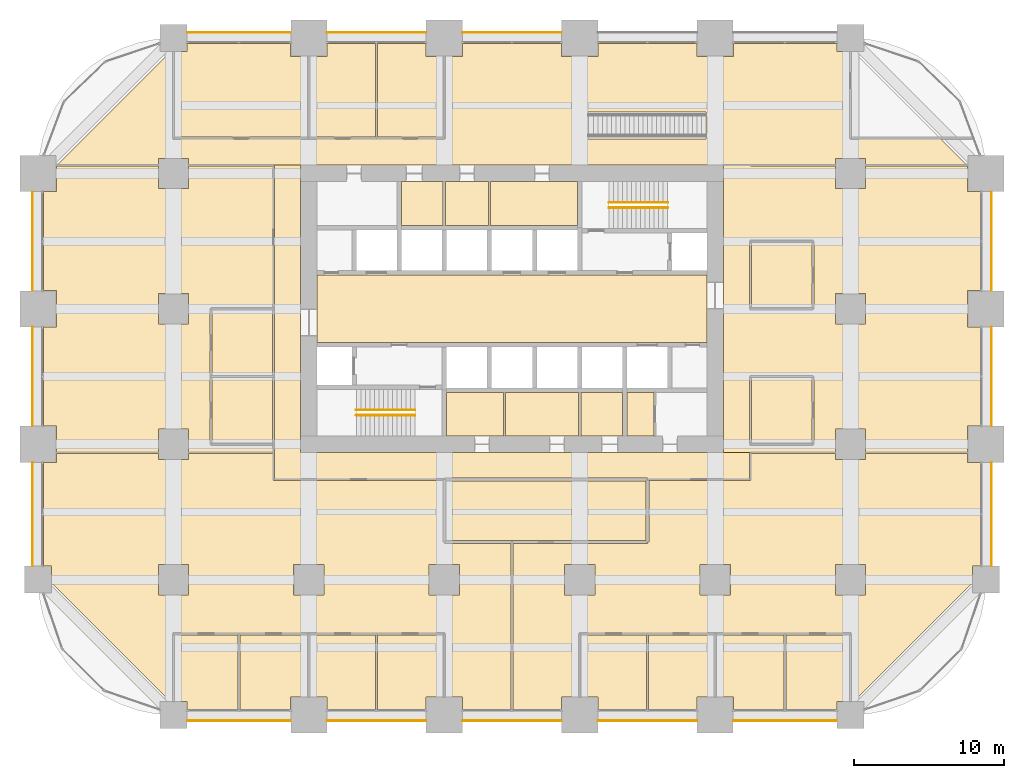
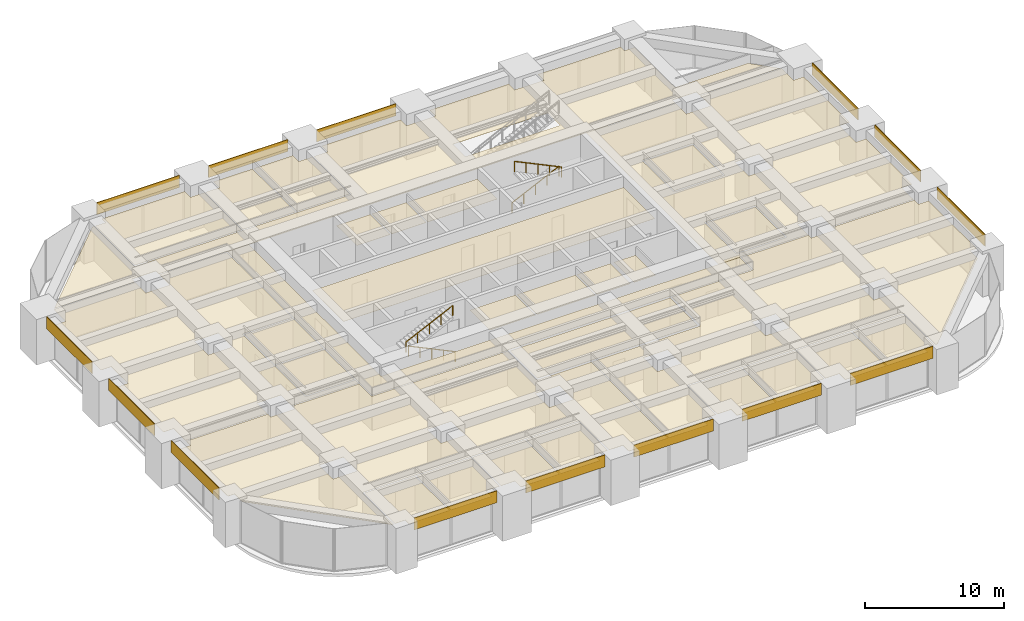
# One storey, part 40 of 41: 44 coverings, 4 railings.
"""IFC4 building model written with IfcOpenShell, lengths in metres."""

from ifc_helpers import new_model, si_unit, direction, frame, frame_2d, origin, origin_2d, place, context, subcontext, project, spatial, polyline, rectangle, circle, outline, extrude, material, layer, layer_set, type_object, element, save


model = new_model("IFC4")

# Units and contexts
model_context = context("Model", 3, precision=1e-05, world=origin(), true_north=direction((0.0, 1.0)))
body_context = subcontext(model_context, "Body", "Model", "MODEL_VIEW")
ifc_project = project(units=[si_unit("LENGTHUNIT", "METRE"), si_unit("AREAUNIT", "SQUARE_METRE"), si_unit("VOLUMEUNIT", "CUBIC_METRE"), si_unit("PLANEANGLEUNIT", "RADIAN"), si_unit("MASSUNIT", "GRAM", prefix="KILO")], contexts=[model_context])

# Site, building, storey
site_placement = place(None, origin())
site = spatial("IfcSite", under=ifc_project, at=site_placement, CompositionType="ELEMENT")
building_placement = place(site_placement, origin())
building = spatial("IfcBuilding", under=site, at=building_placement, Name="Zorevar Civic Tower", CompositionType="ELEMENT")
storey_placement = place(building_placement, frame((0.0, 0.0, 97.0)))
storey = spatial("IfcBuildingStorey", under=building, at=storey_placement, Name="L23", CompositionType="ELEMENT", Elevation=97.0)

# Railings
ifc_material_1 = material(Name="Black steel handrail", Category="steel")
railing_type = type_object("IfcRailingType", Name="Handrail HR1 900", PredefinedType="HANDRAIL", material=ifc_material_1)
railing_1_placement = place(storey_placement, frame((25.050048828125, 19.925048828125, 0.142822265625)))
element("IfcRailing", 1, at=railing_1_placement, inside=storey, type_object=railing_type, Name="Handrail HR1 ST1 L23", PredefinedType="HANDRAIL", context=body_context, shape_type="SweptSolid", body=[
    extrude(circle(Radius=0.02392578125, at=origin_2d()), frame((0.0, 0.0, 0.8759765625), z_axis=(-0.902863652845, 0.0, 0.429926998885), x_axis=(0.0, -1.0, 0.0)), (0.0, 0.0, 1.0), 4.31982421875),
    extrude(circle(Radius=0.02099609375, at=origin_2d()), origin(), (0.0, 0.0, 1.0), 0.851806640625),
    extrude(circle(Radius=0.02099609375, at=origin_2d()), frame((-0.97509765625, 0.0, 0.46435546875)), (0.0, 0.0, 1.0), 0.851806640625),
    extrude(circle(Radius=0.02099609375, at=origin_2d()), frame((-1.9501953125, 0.0, 0.9287109375)), (0.0, 0.0, 1.0), 0.851806640625),
    extrude(circle(Radius=0.02099609375, at=origin_2d()), frame((-2.925048828125, 0.0, 1.392822265625)), (0.0, 0.0, 1.0), 0.851806640625),
    extrude(circle(Radius=0.02099609375, at=origin_2d()), frame((-3.900146484375, 0.0, 1.857177734375)), (0.0, 0.0, 1.0), 0.851806640625),
])
for number, where, name in (
    (2, (21.14990234375, 20.27490234375, 2.142822265625), "Handrail HR1 ST1 L23"),
    (3, (37.949951171875, 34.074951171875, 0.142822265625), "Handrail HR1 ST2 L23"),
):
    element("IfcRailing", number, at=place(storey_placement, frame(where)), inside=storey, type_object=railing_type, Name=name, PredefinedType="HANDRAIL", context=body_context, shape_type="SweptSolid", body=[
        extrude(circle(Radius=0.02392578125, at=origin_2d()), frame((0.0, 0.0, 0.8759765625), z_axis=(0.902863652845, 0.0, 0.429926998885), x_axis=(0.0, 1.0, 0.0)), (0.0, 0.0, 1.0), 4.31982421875),
        extrude(circle(Radius=0.02099609375, at=origin_2d()), origin(), (0.0, 0.0, 1.0), 0.851806640625),
        extrude(circle(Radius=0.02099609375, at=origin_2d()), frame((0.97509765625, 0.0, 0.46435546875)), (0.0, 0.0, 1.0), 0.851806640625),
        extrude(circle(Radius=0.02099609375, at=origin_2d()), frame((1.9501953125, 0.0, 0.9287109375)), (0.0, 0.0, 1.0), 0.851806640625),
        extrude(circle(Radius=0.02099609375, at=origin_2d()), frame((2.925048828125, 0.0, 1.392822265625)), (0.0, 0.0, 1.0), 0.851806640625),
        extrude(circle(Radius=0.02099609375, at=origin_2d()), frame((3.900146484375, 0.0, 1.857177734375)), (0.0, 0.0, 1.0), 0.851806640625),
    ])
railing_2_placement = place(storey_placement, frame((41.85009765625, 33.72509765625, 2.142822265625)))
element("IfcRailing", 4, at=railing_2_placement, inside=storey, type_object=railing_type, Name="Handrail HR1 ST2 L23", PredefinedType="HANDRAIL", context=body_context, shape_type="SweptSolid", body=[
    extrude(circle(Radius=0.02392578125, at=origin_2d()), frame((0.0, 0.0, 0.8759765625), z_axis=(-0.902863652845, 0.0, 0.429926998885), x_axis=(0.0, -1.0, 0.0)), (0.0, 0.0, 1.0), 4.31982421875),
    extrude(circle(Radius=0.02099609375, at=origin_2d()), origin(), (0.0, 0.0, 1.0), 0.851806640625),
    extrude(circle(Radius=0.02099609375, at=origin_2d()), frame((-0.97509765625, 0.0, 0.46435546875)), (0.0, 0.0, 1.0), 0.851806640625),
    extrude(circle(Radius=0.02099609375, at=origin_2d()), frame((-1.9501953125, 0.0, 0.9287109375)), (0.0, 0.0, 1.0), 0.851806640625),
    extrude(circle(Radius=0.02099609375, at=origin_2d()), frame((-2.925048828125, 0.0, 1.392822265625)), (0.0, 0.0, 1.0), 0.851806640625),
    extrude(circle(Radius=0.02099609375, at=origin_2d()), frame((-3.900146484375, 0.0, 1.857177734375)), (0.0, 0.0, 1.0), 0.851806640625),
])

# Coverings
ifc_material_2 = material(Name="Moisture-resistant gypsum board")
ifc_layer_1 = layer(ifc_material_2, 0.012451171875)
ifc_layer_set_1 = layer_set([ifc_layer_1], Name="Moisture-resistant ceiling SC3")
covering_type_1 = type_object("IfcCoveringType", Name="Moisture-resistant ceiling SC3", PredefinedType="CEILING", material=ifc_layer_set_1)
covering_1_placement = place(storey_placement, frame((0.0, 0.0, 3.0)))
element("IfcCovering", 5, at=covering_1_placement, inside=storey, type_object=covering_type_1, Name="Ceiling L23-05", PredefinedType="CEILING", context=body_context, shape_type="SweptSolid", body=[
    extrude(outline(polyline([(30.925048828125, 18.550048828125), (30.925048828125, 21.449951171875), (27.14990234375, 21.449951171875), (27.14990234375, 18.550048828125), (30.925048828125, 18.550048828125)])), origin(), (0.0, 0.0, 1.0), 0.012451171875),
])
covering_2_placement = place(storey_placement, frame((0.0, 0.0, 3.0)))
element("IfcCovering", 6, at=covering_2_placement, inside=storey, type_object=covering_type_1, Name="Ceiling L23-06", PredefinedType="CEILING", context=body_context, shape_type="SweptSolid", body=[
    extrude(outline(polyline([(35.925048828125, 18.550048828125), (35.925048828125, 21.449951171875), (31.074951171875, 21.449951171875), (31.074951171875, 18.550048828125), (35.925048828125, 18.550048828125)])), origin(), (0.0, 0.0, 1.0), 0.012451171875),
])
covering_3_placement = place(storey_placement, frame((0.0, 0.0, 3.0)))
element("IfcCovering", 7, at=covering_3_placement, inside=storey, type_object=covering_type_1, Name="Ceiling L23-07", PredefinedType="CEILING", context=body_context, shape_type="SweptSolid", body=[
    extrude(outline(polyline([(38.85009765625, 18.550048828125), (38.85009765625, 21.449951171875), (36.074951171875, 21.449951171875), (36.074951171875, 18.550048828125), (38.85009765625, 18.550048828125)])), origin(), (0.0, 0.0, 1.0), 0.012451171875),
])
covering_4_placement = place(storey_placement, frame((0.0, 0.0, 3.0)))
element("IfcCovering", 8, at=covering_4_placement, inside=storey, type_object=covering_type_1, Name="Ceiling L23-10", PredefinedType="CEILING", context=body_context, shape_type="SweptSolid", body=[
    extrude(outline(polyline([(26.925048828125, 32.550048828125), (26.925048828125, 35.449951171875), (24.14990234375, 35.449951171875), (24.14990234375, 32.550048828125), (26.925048828125, 32.550048828125)])), origin(), (0.0, 0.0, 1.0), 0.012451171875),
])
ifc_material_3 = material(Name="Black anodised aluminium spandrel panel", Category="aluminium")
ifc_layer_2 = layer(ifc_material_3, 0.050048828125)
ifc_layer_set_2 = layer_set([ifc_layer_2], Name="Spandrel cladding SP1")
covering_type_2 = type_object("IfcCoveringType", Name="Spandrel cladding SP1", PredefinedType="CLADDING", material=ifc_layer_set_2)
covering_5_placement = place(storey_placement, frame((9.89990234375, -0.375, 2.949951171875), z_axis=(0.0, 0.0, 1.0), x_axis=(1.0, 0.0, 0.0)))
element("IfcCovering", 9, at=covering_5_placement, inside=storey, type_object=covering_type_2, Name="Spandrel cladding L24", PredefinedType="CLADDING", context=body_context, shape_type="SweptSolid", body=[
    extrude(rectangle(XDim=6.900146484375, YDim=0.050048828125, at=frame_2d((3.4501953125, 0.0))), origin(), (0.0, 0.0, 1.0), 1.050048828125),
])
for number, where, z_axis, x_axis, name in (
    (10, (19.199951171875, -0.375, 2.949951171875), (0.0, 0.0, 1.0), (1.0, 0.0, 0.0), "Spandrel cladding L24"),
    (11, (28.199951171875, -0.375, 2.949951171875), (0.0, 0.0, 1.0), (1.0, 0.0, 0.0), "Spandrel cladding L24"),
    (12, (37.199951171875, -0.375, 2.949951171875), (0.0, 0.0, 1.0), (1.0, 0.0, 0.0), "Spandrel cladding L24"),
):
    element("IfcCovering", number, at=place(storey_placement, frame(where, z_axis=z_axis, x_axis=x_axis)), inside=storey, type_object=covering_type_2, Name=name, PredefinedType="CLADDING", context=body_context, shape_type="SweptSolid", body=[
        extrude(rectangle(XDim=6.60009765625, YDim=0.050048828125, at=frame_2d((3.300048828125, 0.0))), origin(), (0.0, 0.0, 1.0), 1.050048828125),
    ])
for number, where, z_axis, x_axis, name in (
    (13, (46.199951171875, -0.375, 2.949951171875), (0.0, 0.0, 1.0), (1.0, 0.0, 0.0), "Spandrel cladding L24"),
    (14, (9.89990234375, 45.375, 2.949951171875), (0.0, 0.0, 1.0), (1.0, 0.0, 0.0), "Spandrel cladding L24"),
):
    element("IfcCovering", number, at=place(storey_placement, frame(where, z_axis=z_axis, x_axis=x_axis)), inside=storey, type_object=covering_type_2, Name=name, PredefinedType="CLADDING", context=body_context, shape_type="SweptSolid", body=[
        extrude(rectangle(XDim=6.900146484375, YDim=0.050048828125, at=frame_2d((3.4501953125, 0.0))), origin(), (0.0, 0.0, 1.0), 1.050048828125),
    ])
for number, where, z_axis, x_axis, name in (
    (15, (19.199951171875, 45.375, 2.949951171875), (0.0, 0.0, 1.0), (1.0, 0.0, 0.0), "Spandrel cladding L24"),
    (16, (28.199951171875, 45.375, 2.949951171875), (0.0, 0.0, 1.0), (1.0, 0.0, 0.0), "Spandrel cladding L24"),
):
    element("IfcCovering", number, at=place(storey_placement, frame(where, z_axis=z_axis, x_axis=x_axis)), inside=storey, type_object=covering_type_2, Name=name, PredefinedType="CLADDING", context=body_context, shape_type="SweptSolid", body=[
        extrude(rectangle(XDim=6.60009765625, YDim=0.050048828125, at=frame_2d((3.300048828125, 0.0))), origin(), (0.0, 0.0, 1.0), 1.050048828125),
    ])
covering_6_placement = place(storey_placement, frame((-0.375, 9.89990234375, 2.949951171875), z_axis=(0.0, 0.0, 1.0), x_axis=(0.0, 1.0, 0.0)))
element("IfcCovering", 17, at=covering_6_placement, inside=storey, type_object=covering_type_2, Name="Spandrel cladding L24", PredefinedType="CLADDING", context=body_context, shape_type="SweptSolid", body=[
    extrude(rectangle(XDim=6.900146484375, YDim=0.050048828125, at=frame_2d((3.4501953125, 0.0))), origin(), (0.0, 0.0, 1.0), 1.050048828125),
])
for number, where, z_axis, x_axis, name in (
    (18, (-0.375, 19.199951171875, 2.949951171875), (0.0, 0.0, 1.0), (0.0, 1.0, 0.0), "Spandrel cladding L24"),
    (19, (-0.375, 28.199951171875, 2.949951171875), (0.0, 0.0, 1.0), (0.0, 1.0, 0.0), "Spandrel cladding L24"),
):
    element("IfcCovering", number, at=place(storey_placement, frame(where, z_axis=z_axis, x_axis=x_axis)), inside=storey, type_object=covering_type_2, Name=name, PredefinedType="CLADDING", context=body_context, shape_type="SweptSolid", body=[
        extrude(rectangle(XDim=6.60009765625, YDim=0.050048828125, at=frame_2d((3.300048828125, 0.0))), origin(), (0.0, 0.0, 1.0), 1.050048828125),
    ])
covering_7_placement = place(storey_placement, frame((63.375, 9.89990234375, 2.949951171875), z_axis=(0.0, 0.0, 1.0), x_axis=(0.0, 1.0, 0.0)))
element("IfcCovering", 20, at=covering_7_placement, inside=storey, type_object=covering_type_2, Name="Spandrel cladding L24", PredefinedType="CLADDING", context=body_context, shape_type="SweptSolid", body=[
    extrude(rectangle(XDim=6.900146484375, YDim=0.050048828125, at=frame_2d((3.4501953125, 0.0))), origin(), (0.0, 0.0, 1.0), 1.050048828125),
])
for number, where, z_axis, x_axis, name in (
    (21, (63.375, 19.199951171875, 2.949951171875), (0.0, 0.0, 1.0), (0.0, 1.0, 0.0), "Spandrel cladding L24"),
    (22, (63.375, 28.199951171875, 2.949951171875), (0.0, 0.0, 1.0), (0.0, 1.0, 0.0), "Spandrel cladding L24"),
):
    element("IfcCovering", number, at=place(storey_placement, frame(where, z_axis=z_axis, x_axis=x_axis)), inside=storey, type_object=covering_type_2, Name=name, PredefinedType="CLADDING", context=body_context, shape_type="SweptSolid", body=[
        extrude(rectangle(XDim=6.60009765625, YDim=0.050048828125, at=frame_2d((3.300048828125, 0.0))), origin(), (0.0, 0.0, 1.0), 1.050048828125),
    ])
ifc_material_4 = material(Name="Mineral fibre tiles on a concealed grid")
ifc_layer_3 = layer(ifc_material_4, 0.02001953125)
ifc_layer_set_3 = layer_set([ifc_layer_3], Name="Suspended ceiling SC1")
covering_type_3 = type_object("IfcCoveringType", Name="Suspended ceiling SC1", PredefinedType="CEILING", material=ifc_layer_set_3)
covering_8_placement = place(storey_placement, frame((0.0, 0.0, 3.0)))
element("IfcCovering", 23, at=covering_8_placement, inside=storey, type_object=covering_type_3, Name="Ceiling L23-08", PredefinedType="CEILING", context=body_context, shape_type="SweptSolid", body=[
    extrude(outline(polyline([(35.85009765625, 32.550048828125), (35.85009765625, 35.449951171875), (30.06005859375, 35.449951171875), (30.06005859375, 32.550048828125), (35.85009765625, 32.550048828125)])), origin(), (0.0, 0.0, 1.0), 0.02001953125),
])
covering_9_placement = place(storey_placement, frame((0.0, 0.0, 3.0)))
element("IfcCovering", 24, at=covering_9_placement, inside=storey, type_object=covering_type_3, Name="Ceiling L23-09", PredefinedType="CEILING", context=body_context, shape_type="SweptSolid", body=[
    extrude(outline(polyline([(29.93994140625, 32.550048828125), (29.93994140625, 35.449951171875), (27.074951171875, 35.449951171875), (27.074951171875, 32.550048828125), (29.93994140625, 32.550048828125)])), origin(), (0.0, 0.0, 1.0), 0.02001953125),
])
covering_10_placement = place(storey_placement, frame((0.0, 0.0, 3.0)))
element("IfcCovering", 25, at=covering_10_placement, inside=storey, type_object=covering_type_3, Name="Ceiling L23-11", PredefinedType="CEILING", context=body_context, shape_type="SweptSolid", body=[
    extrude(outline(polyline([(40.93994140625, 18.550048828125), (40.93994140625, 21.449951171875), (39.14990234375, 21.449951171875), (39.14990234375, 18.550048828125), (40.93994140625, 18.550048828125)])), origin(), (0.0, 0.0, 1.0), 0.02001953125),
])
covering_11_placement = place(storey_placement, frame((0.0, 0.0, 3.0)))
element("IfcCovering", 26, at=covering_11_placement, inside=storey, type_object=covering_type_3, Name="Ceiling L23-16", PredefinedType="CEILING", context=body_context, shape_type="SweptSolid", body=[
    extrude(outline(polyline([(44.449951171875, 24.75), (44.449951171875, 29.25), (18.550048828125, 29.25), (18.550048828125, 24.75), (44.449951171875, 24.75)])), origin(), (0.0, 0.0, 1.0), 0.02001953125),
])
covering_12_placement = place(storey_placement, frame((0.0, 0.0, 3.0)))
element("IfcCovering", 27, at=covering_12_placement, inside=storey, type_object=covering_type_3, Name="Ceiling L23-17", PredefinedType="CEILING", context=body_context, shape_type="SweptSolid", body=[
    extrude(outline(polyline([(9.909912109375, 44.090087890625), (9.909912109375, 44.64990234375), (16.7900390625, 44.64990234375), (16.7900390625, 43.7900390625), (17.93994140625, 43.7900390625), (17.93994140625, 38.409912109375), (9.06005859375, 38.409912109375), (9.06005859375, 44.090087890625), (9.909912109375, 44.090087890625)])), origin(), (0.0, 0.0, 1.0), 0.02001953125),
])
covering_13_placement = place(storey_placement, frame((0.0, 0.0, 3.0)))
element("IfcCovering", 28, at=covering_13_placement, inside=storey, type_object=covering_type_3, Name="Ceiling L23-18", PredefinedType="CEILING", context=body_context, shape_type="SweptSolid", body=[
    extrude(outline(polyline([(18.06005859375, 38.409912109375), (18.06005859375, 43.7900390625), (19.2099609375, 43.7900390625), (19.2099609375, 44.64990234375), (22.43994140625, 44.64990234375), (22.43994140625, 38.409912109375), (18.06005859375, 38.409912109375)])), origin(), (0.0, 0.0, 1.0), 0.02001953125),
])
covering_14_placement = place(storey_placement, frame((0.0, 0.0, 3.0)))
element("IfcCovering", 29, at=covering_14_placement, inside=storey, type_object=covering_type_3, Name="Ceiling L23-19", PredefinedType="CEILING", context=body_context, shape_type="SweptSolid", body=[
    extrude(outline(polyline([(22.56005859375, 38.409912109375), (22.56005859375, 44.64990234375), (25.7900390625, 44.64990234375), (25.7900390625, 43.7900390625), (26.93994140625, 43.7900390625), (26.93994140625, 38.409912109375), (22.56005859375, 38.409912109375)])), origin(), (0.0, 0.0, 1.0), 0.02001953125),
])
covering_15_placement = place(storey_placement, frame((0.0, 0.0, 3.0)))
element("IfcCovering", 30, at=covering_15_placement, inside=storey, type_object=covering_type_3, Name="Ceiling L23-20", PredefinedType="CEILING", context=body_context, shape_type="SweptSolid", body=[
    extrude(outline(polyline([(13.2900390625, 5.340087890625), (13.2900390625, 0.35009765625), (9.909912109375, 0.35009765625), (9.909912109375, 0.909912109375), (9.06005859375, 0.909912109375), (9.06005859375, 5.340087890625), (13.2900390625, 5.340087890625)])), origin(), (0.0, 0.0, 1.0), 0.02001953125),
])
covering_16_placement = place(storey_placement, frame((0.0, 0.0, 3.0)))
element("IfcCovering", 31, at=covering_16_placement, inside=storey, type_object=covering_type_3, Name="Ceiling L23-21", PredefinedType="CEILING", context=body_context, shape_type="SweptSolid", body=[
    extrude(outline(polyline([(17.93994140625, 5.340087890625), (17.93994140625, 1.2099609375), (16.7900390625, 1.2099609375), (16.7900390625, 0.35009765625), (13.409912109375, 0.35009765625), (13.409912109375, 5.340087890625), (17.93994140625, 5.340087890625)])), origin(), (0.0, 0.0, 1.0), 0.02001953125),
])
covering_17_placement = place(storey_placement, frame((0.0, 0.0, 3.0)))
element("IfcCovering", 32, at=covering_17_placement, inside=storey, type_object=covering_type_3, Name="Ceiling L23-22", PredefinedType="CEILING", context=body_context, shape_type="SweptSolid", body=[
    extrude(outline(polyline([(22.43994140625, 5.340087890625), (22.43994140625, 0.35009765625), (19.2099609375, 0.35009765625), (19.2099609375, 1.2099609375), (18.06005859375, 1.2099609375), (18.06005859375, 5.340087890625), (22.43994140625, 5.340087890625)])), origin(), (0.0, 0.0, 1.0), 0.02001953125),
])
covering_18_placement = place(storey_placement, frame((0.0, 0.0, 3.0)))
element("IfcCovering", 33, at=covering_18_placement, inside=storey, type_object=covering_type_3, Name="Ceiling L23-23", PredefinedType="CEILING", context=body_context, shape_type="SweptSolid", body=[
    extrude(outline(polyline([(26.93994140625, 5.340087890625), (26.93994140625, 1.2099609375), (25.7900390625, 1.2099609375), (25.7900390625, 0.35009765625), (22.56005859375, 0.35009765625), (22.56005859375, 5.340087890625), (26.93994140625, 5.340087890625)])), origin(), (0.0, 0.0, 1.0), 0.02001953125),
])
covering_19_placement = place(storey_placement, frame((0.0, 0.0, 3.0)))
element("IfcCovering", 34, at=covering_19_placement, inside=storey, type_object=covering_type_3, Name="Ceiling L23-24", PredefinedType="CEILING", context=body_context, shape_type="SweptSolid", body=[
    extrude(outline(polyline([(40.43994140625, 5.340087890625), (40.43994140625, 0.35009765625), (37.2099609375, 0.35009765625), (37.2099609375, 1.2099609375), (36.06005859375, 1.2099609375), (36.06005859375, 5.340087890625), (40.43994140625, 5.340087890625)])), origin(), (0.0, 0.0, 1.0), 0.02001953125),
])
covering_20_placement = place(storey_placement, frame((0.0, 0.0, 3.0)))
element("IfcCovering", 35, at=covering_20_placement, inside=storey, type_object=covering_type_3, Name="Ceiling L23-25", PredefinedType="CEILING", context=body_context, shape_type="SweptSolid", body=[
    extrude(outline(polyline([(44.93994140625, 5.340087890625), (44.93994140625, 1.2099609375), (43.7900390625, 1.2099609375), (43.7900390625, 0.35009765625), (40.56005859375, 0.35009765625), (40.56005859375, 5.340087890625), (44.93994140625, 5.340087890625)])), origin(), (0.0, 0.0, 1.0), 0.02001953125),
])
covering_21_placement = place(storey_placement, frame((0.0, 0.0, 3.0)))
element("IfcCovering", 36, at=covering_21_placement, inside=storey, type_object=covering_type_3, Name="Ceiling L23-26", PredefinedType="CEILING", context=body_context, shape_type="SweptSolid", body=[
    extrude(outline(polyline([(49.590087890625, 5.340087890625), (49.590087890625, 0.35009765625), (46.2099609375, 0.35009765625), (46.2099609375, 1.2099609375), (45.06005859375, 1.2099609375), (45.06005859375, 5.340087890625), (49.590087890625, 5.340087890625)])), origin(), (0.0, 0.0, 1.0), 0.02001953125),
])
covering_22_placement = place(storey_placement, frame((0.0, 0.0, 3.0)))
element("IfcCovering", 37, at=covering_22_placement, inside=storey, type_object=covering_type_3, Name="Ceiling L23-27", PredefinedType="CEILING", context=body_context, shape_type="SweptSolid", body=[
    extrude(outline(polyline([(53.93994140625, 5.340087890625), (53.93994140625, 0.909912109375), (53.090087890625, 0.909912109375), (53.090087890625, 0.35009765625), (49.7099609375, 0.35009765625), (49.7099609375, 5.340087890625), (53.93994140625, 5.340087890625)])), origin(), (0.0, 0.0, 1.0), 0.02001953125),
])
covering_23_placement = place(storey_placement, frame((0.0, 0.0, 3.0)))
element("IfcCovering", 38, at=covering_23_placement, inside=storey, type_object=covering_type_3, Name="Ceiling L23-28", PredefinedType="CEILING", context=body_context, shape_type="SweptSolid", body=[
    extrude(outline(polyline([(40.39990234375, 15.550048828125), (40.39990234375, 11.60009765625), (27.10009765625, 11.60009765625), (27.10009765625, 15.550048828125), (40.39990234375, 15.550048828125)])), origin(), (0.0, 0.0, 1.0), 0.02001953125),
])
covering_24_placement = place(storey_placement, frame((0.0, 0.0, 3.0)))
element("IfcCovering", 39, at=covering_24_placement, inside=storey, type_object=covering_type_3, Name="Ceiling L23-29", PredefinedType="CEILING", context=body_context, shape_type="SweptSolid", body=[
    extrude(outline(polyline([(15.590087890625, 22.43994140625), (15.590087890625, 18.06005859375), (11.56005859375, 18.06005859375), (11.56005859375, 22.43994140625), (15.590087890625, 22.43994140625)])), origin(), (0.0, 0.0, 1.0), 0.02001953125),
])
covering_25_placement = place(storey_placement, frame((0.0, 0.0, 3.0)))
element("IfcCovering", 40, at=covering_25_placement, inside=storey, type_object=covering_type_3, Name="Ceiling L23-30", PredefinedType="CEILING", context=body_context, shape_type="SweptSolid", body=[
    extrude(outline(polyline([(11.56005859375, 26.93994140625), (15.590087890625, 26.93994140625), (15.590087890625, 22.56005859375), (11.56005859375, 22.56005859375), (11.56005859375, 26.93994140625)])), origin(), (0.0, 0.0, 1.0), 0.02001953125),
])
covering_26_placement = place(storey_placement, frame((0.0, 0.0, 3.0)))
element("IfcCovering", 41, at=covering_26_placement, inside=storey, type_object=covering_type_3, Name="Ceiling L23-31", PredefinedType="CEILING", context=body_context, shape_type="SweptSolid", body=[
    extrude(outline(polyline([(51.43994140625, 31.43994140625), (51.43994140625, 27.06005859375), (47.409912109375, 27.06005859375), (47.409912109375, 31.43994140625), (51.43994140625, 31.43994140625)])), origin(), (0.0, 0.0, 1.0), 0.02001953125),
])
covering_27_placement = place(storey_placement, frame((0.0, 0.0, 3.0)))
element("IfcCovering", 42, at=covering_27_placement, inside=storey, type_object=covering_type_3, Name="Ceiling L23-32", PredefinedType="CEILING", context=body_context, shape_type="SweptSolid", body=[
    extrude(outline(polyline([(51.43994140625, 18.06005859375), (47.409912109375, 18.06005859375), (47.409912109375, 22.43994140625), (51.43994140625, 22.43994140625), (51.43994140625, 18.06005859375)])), origin(), (0.0, 0.0, 1.0), 0.02001953125),
])
covering_28_placement = place(storey_placement, frame((0.0, 0.0, 3.0)))
element("IfcCovering", 43, at=covering_28_placement, inside=storey, type_object=covering_type_3, Name="Ceiling L23-34", PredefinedType="CEILING", context=body_context, shape_type="SweptSolid", body=[
    extrude(outline(polyline([(47.300048828125, 15.699951171875), (40.5, 15.699951171875), (40.5, 15.75), (27.0, 15.75), (27.0, 15.699951171875), (15.699951171875, 15.699951171875), (15.699951171875, 18.0), (15.7099609375, 18.0), (15.7099609375, 27.0), (15.699951171875, 27.0), (15.699951171875, 36.550048828125), (17.449951171875, 36.550048828125), (17.449951171875, 17.449951171875), (47.300048828125, 17.449951171875), (47.300048828125, 15.699951171875)])), origin(), (0.0, 0.0, 1.0), 0.02001953125),
])
covering_29_placement = place(storey_placement, frame((0.0, 0.0, 3.0)))
element("IfcCovering", 44, at=covering_29_placement, inside=storey, type_object=covering_type_3, Name="Ceiling L23-35", PredefinedType="CEILING", context=body_context, shape_type="SweptSolid", body=[
    extrude(outline(polyline([(47.35009765625, 36.5), (52.989990234375, 36.5), (52.989990234375, 34.989990234375), (55.010009765625, 34.989990234375), (55.010009765625, 36.5), (61.7900390625, 36.5), (61.7900390625, 34.7900390625), (62.64990234375, 34.7900390625), (62.64990234375, 28.2099609375), (61.7900390625, 28.2099609375), (61.7900390625, 25.7900390625), (62.64990234375, 25.7900390625), (62.64990234375, 19.2099609375), (61.7900390625, 19.2099609375), (61.7900390625, 17.5), (55.010009765625, 17.5), (55.010009765625, 19.010009765625), (52.989990234375, 19.010009765625), (52.989990234375, 17.5), (47.35009765625, 17.5), (47.35009765625, 17.449951171875), (45.550048828125, 17.449951171875), (45.550048828125, 36.550048828125), (47.35009765625, 36.550048828125), (47.35009765625, 36.5)]), holes=[polyline([(47.2900390625, 22.5), (47.2900390625, 18.0), (47.35009765625, 18.0), (47.35009765625, 17.93994140625), (51.5, 17.93994140625), (51.5, 18.0), (51.56005859375, 18.0), (51.56005859375, 22.5), (51.5, 22.5), (51.5, 22.56005859375), (47.35009765625, 22.56005859375), (47.35009765625, 22.5), (47.2900390625, 22.5)]), polyline([(47.2900390625, 31.5), (47.2900390625, 27.0), (47.35009765625, 27.0), (47.35009765625, 26.93994140625), (51.5, 26.93994140625), (51.5, 27.0), (51.56005859375, 27.0), (51.56005859375, 31.5), (51.5, 31.5), (51.5, 31.56005859375), (47.35009765625, 31.56005859375), (47.35009765625, 31.5), (47.2900390625, 31.5)]), polyline([(55.010009765625, 28.010009765625), (52.989990234375, 28.010009765625), (52.989990234375, 25.989990234375), (55.010009765625, 25.989990234375), (55.010009765625, 28.010009765625)])]), origin(), (0.0, 0.0, 1.0), 0.02001953125),
])
covering_30_placement = place(storey_placement, frame((0.0, 0.0, 3.0)))
element("IfcCovering", 45, at=covering_30_placement, inside=storey, type_object=covering_type_3, Name="Ceiling L23-36", PredefinedType="CEILING", context=body_context, shape_type="SweptSolid", body=[
    extrude(outline(polyline([(34.7900390625, 44.64990234375), (34.7900390625, 43.7900390625), (37.2099609375, 43.7900390625), (37.2099609375, 44.64990234375), (43.7900390625, 44.64990234375), (43.7900390625, 43.7900390625), (46.2099609375, 43.7900390625), (46.2099609375, 44.64990234375), (53.090087890625, 44.64990234375), (53.090087890625, 44.090087890625), (53.93994140625, 44.090087890625), (53.93994140625, 38.35009765625), (54.0, 38.35009765625), (54.0, 38.2900390625), (60.0029296875, 38.2900390625), (61.69287109375, 36.60009765625), (55.010009765625, 36.60009765625), (55.010009765625, 37.010009765625), (52.989990234375, 37.010009765625), (52.989990234375, 36.60009765625), (47.35009765625, 36.60009765625), (47.35009765625, 36.550048828125), (15.64990234375, 36.550048828125), (15.64990234375, 36.60009765625), (10.010009765625, 36.60009765625), (10.010009765625, 37.010009765625), (7.989990234375, 37.010009765625), (7.989990234375, 36.60009765625), (1.30712890625, 36.60009765625), (8.797119140625, 44.090087890625), (8.93994140625, 44.090087890625), (8.93994140625, 38.35009765625), (9.0, 38.35009765625), (9.0, 38.2900390625), (27.0, 38.2900390625), (27.0, 38.35009765625), (27.06005859375, 38.35009765625), (27.06005859375, 43.7900390625), (28.2099609375, 43.7900390625), (28.2099609375, 44.64990234375), (34.7900390625, 44.64990234375)]), holes=[polyline([(36.5, 38.300048828125), (44.39990234375, 38.300048828125), (44.39990234375, 40.10009765625), (36.5, 40.10009765625), (36.5, 38.300048828125)])]), origin(), (0.0, 0.0, 1.0), 0.02001953125),
])
covering_31_placement = place(storey_placement, frame((0.0, 0.0, 3.0)))
element("IfcCovering", 46, at=covering_31_placement, inside=storey, type_object=covering_type_3, Name="Ceiling L23-37", PredefinedType="CEILING", context=body_context, shape_type="SweptSolid", body=[
    extrude(outline(polyline([(0.909912109375, 9.909912109375), (0.35009765625, 9.909912109375), (0.35009765625, 16.7900390625), (1.2099609375, 16.7900390625), (1.2099609375, 17.39990234375), (7.989990234375, 17.39990234375), (7.989990234375, 16.989990234375), (10.010009765625, 16.989990234375), (10.010009765625, 17.39990234375), (15.60009765625, 17.39990234375), (15.60009765625, 15.64990234375), (15.64990234375, 15.64990234375), (15.64990234375, 15.60009765625), (26.89990234375, 15.60009765625), (26.89990234375, 11.5), (27.0, 11.5), (27.0, 11.39990234375), (31.449951171875, 11.39990234375), (31.449951171875, 0.35009765625), (28.2099609375, 0.35009765625), (28.2099609375, 1.2099609375), (27.06005859375, 1.2099609375), (27.06005859375, 5.39990234375), (27.0, 5.39990234375), (27.0, 5.4599609375), (9.0, 5.4599609375), (9.0, 5.39990234375), (8.93994140625, 5.39990234375), (8.93994140625, 0.909912109375), (8.797119140625, 0.909912109375), (0.909912109375, 8.797119140625), (0.909912109375, 9.909912109375)]), holes=[polyline([(7.989990234375, 10.010009765625), (7.989990234375, 7.989990234375), (10.010009765625, 7.989990234375), (10.010009765625, 10.010009765625), (7.989990234375, 10.010009765625)]), polyline([(19.010009765625, 7.989990234375), (19.010009765625, 10.010009765625), (16.989990234375, 10.010009765625), (16.989990234375, 7.989990234375), (19.010009765625, 7.989990234375)]), polyline([(25.989990234375, 10.010009765625), (25.989990234375, 7.989990234375), (28.010009765625, 7.989990234375), (28.010009765625, 10.010009765625), (25.989990234375, 10.010009765625)])]), origin(), (0.0, 0.0, 1.0), 0.02001953125),
])
covering_32_placement = place(storey_placement, frame((0.0, 0.0, 3.0)))
element("IfcCovering", 47, at=covering_32_placement, inside=storey, type_object=covering_type_3, Name="Ceiling L23-38", PredefinedType="CEILING", context=body_context, shape_type="SweptSolid", body=[
    extrude(outline(polyline([(62.090087890625, 9.909912109375), (62.090087890625, 8.797119140625), (54.202880859375, 0.909912109375), (54.06005859375, 0.909912109375), (54.06005859375, 5.39990234375), (54.0, 5.39990234375), (54.0, 5.4599609375), (36.0, 5.4599609375), (36.0, 5.39990234375), (35.93994140625, 5.39990234375), (35.93994140625, 1.2099609375), (34.7900390625, 1.2099609375), (34.7900390625, 0.35009765625), (31.550048828125, 0.35009765625), (31.550048828125, 11.39990234375), (40.5, 11.39990234375), (40.5, 11.5), (40.60009765625, 11.5), (40.60009765625, 15.60009765625), (47.35009765625, 15.60009765625), (47.35009765625, 15.64990234375), (47.39990234375, 15.64990234375), (47.39990234375, 17.39990234375), (52.989990234375, 17.39990234375), (52.989990234375, 16.989990234375), (55.010009765625, 16.989990234375), (55.010009765625, 17.39990234375), (61.7900390625, 17.39990234375), (61.7900390625, 16.7900390625), (62.64990234375, 16.7900390625), (62.64990234375, 9.909912109375), (62.090087890625, 9.909912109375)]), holes=[polyline([(37.010009765625, 7.989990234375), (37.010009765625, 10.010009765625), (34.989990234375, 10.010009765625), (34.989990234375, 7.989990234375), (37.010009765625, 7.989990234375)]), polyline([(43.989990234375, 7.989990234375), (46.010009765625, 7.989990234375), (46.010009765625, 10.010009765625), (43.989990234375, 10.010009765625), (43.989990234375, 7.989990234375)]), polyline([(55.010009765625, 10.010009765625), (52.989990234375, 10.010009765625), (52.989990234375, 7.989990234375), (55.010009765625, 7.989990234375), (55.010009765625, 10.010009765625)])]), origin(), (0.0, 0.0, 1.0), 0.02001953125),
])
covering_33_placement = place(storey_placement, frame((0.0, 0.0, 3.0)))
element("IfcCovering", 48, at=covering_33_placement, inside=storey, type_object=covering_type_3, Name="Ceiling L23-39", PredefinedType="CEILING", context=body_context, shape_type="SweptSolid", body=[
    extrude(outline(polyline([(10.010009765625, 17.5), (10.010009765625, 19.010009765625), (7.989990234375, 19.010009765625), (7.989990234375, 17.5), (1.2099609375, 17.5), (1.2099609375, 19.2099609375), (0.35009765625, 19.2099609375), (0.35009765625, 25.7900390625), (1.2099609375, 25.7900390625), (1.2099609375, 28.2099609375), (0.35009765625, 28.2099609375), (0.35009765625, 34.7900390625), (1.2099609375, 34.7900390625), (1.2099609375, 36.5), (7.989990234375, 36.5), (7.989990234375, 34.989990234375), (10.010009765625, 34.989990234375), (10.010009765625, 36.5), (15.60009765625, 36.5), (15.60009765625, 27.06005859375), (11.5, 27.06005859375), (11.5, 27.0), (11.43994140625, 27.0), (11.43994140625, 18.0), (11.5, 18.0), (11.5, 17.93994140625), (15.60009765625, 17.93994140625), (15.60009765625, 17.5), (10.010009765625, 17.5)]), holes=[polyline([(7.989990234375, 28.010009765625), (7.989990234375, 25.989990234375), (10.010009765625, 25.989990234375), (10.010009765625, 28.010009765625), (7.989990234375, 28.010009765625)])]), origin(), (0.0, 0.0, 1.0), 0.02001953125),
])

save(model, "model.ifc")
